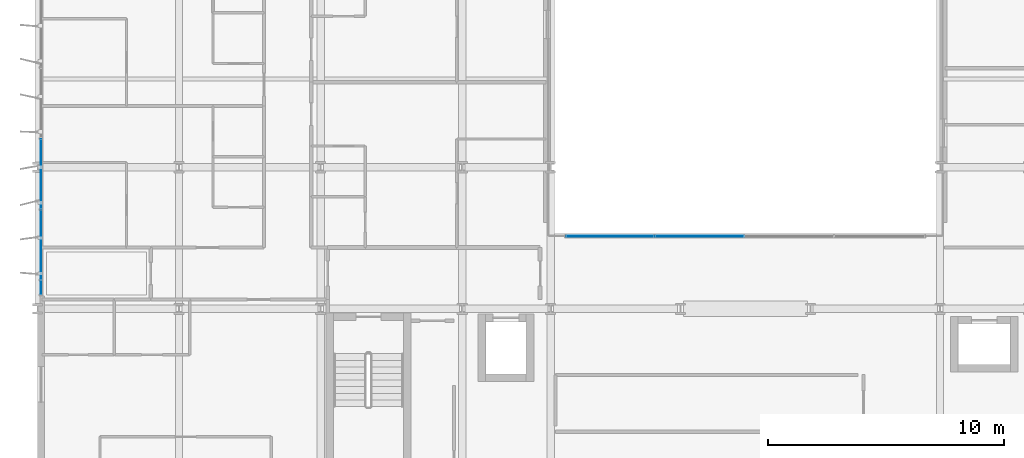
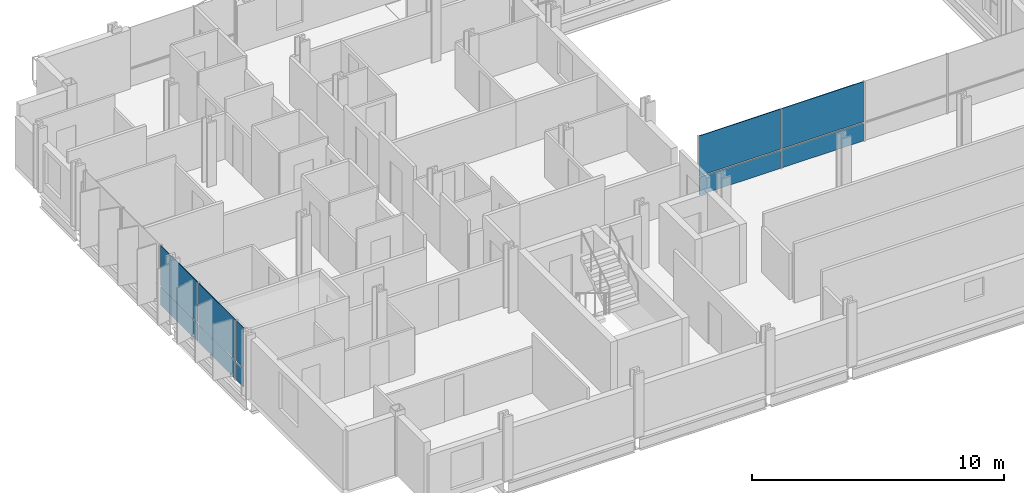
# One storey, part 22 of 39: 10 plates, 2 elements without a shape of their own.
"""IFC4 building model written with IfcOpenShell, lengths in metres."""

from ifc_helpers import new_model, si_unit, direction, frame, origin, origin_2d, place, context, subcontext, project, spatial, rectangle, extrude, material, layer, layer_set, type_object, element, aggregate, save


model = new_model("IFC4")

# Units and contexts
model_context = context("Model", 3, precision=1e-05, world=origin(), true_north=direction((0.0, 1.0)))
body_context = subcontext(model_context, "Body", "Model", "MODEL_VIEW")
ifc_project = project(units=[si_unit("LENGTHUNIT", "METRE"), si_unit("AREAUNIT", "SQUARE_METRE"), si_unit("VOLUMEUNIT", "CUBIC_METRE"), si_unit("PLANEANGLEUNIT", "RADIAN"), si_unit("MASSUNIT", "GRAM", prefix="KILO")], contexts=[model_context])

# Site, building, storey
site_placement = place(None, origin())
site = spatial("IfcSite", under=ifc_project, at=site_placement, CompositionType="ELEMENT")
building_placement = place(site_placement, origin())
building = spatial("IfcBuilding", under=site, at=building_placement, Name="Brevholm Reach", CompositionType="ELEMENT")
storey_placement = place(building_placement, frame((0.0, 0.0, 34.199951171875)))
storey = spatial("IfcBuildingStorey", under=building, at=storey_placement, Name="L08", CompositionType="ELEMENT", Elevation=34.199951171875)

# Curtain wall, plates
ifc_material_1 = material(Name="Dark Anodised Aluminium 6063-T6 and Solar-Control Glass", Category="aluminium")
ifc_layer_1 = layer(ifc_material_1, 0.14990234375)
ifc_layer_set_1 = layer_set([ifc_layer_1], Name="Dark Anodised Aluminium 6063-T6 and Solar-Control Glass")
curtain_wall_type_1 = type_object("IfcCurtainWallType", Name="CW-01", PredefinedType="NOTDEFINED", material=ifc_layer_set_1)
curtain_wall_1_placement = place(storey_placement, origin())
curtain_wall_1 = element("IfcCurtainWall", 1, at=curtain_wall_1_placement, inside=storey, type_object=curtain_wall_type_1, Name="L08 Curtain Wall CW-01", PredefinedType="NOTDEFINED")
ifc_material_2 = material(Name="Dark Solar-Control Double-Glazed IGU Glass", Category="glass")
ifc_layer_2 = layer(ifc_material_2, 0.028076171875)
ifc_layer_set_2 = layer_set([ifc_layer_2], Name="Dark Solar-Control Double-Glazed IGU Glass")
plate_type_1 = type_object("IfcPlateType", Name="CWP-GLZ-28", PredefinedType="CURTAIN_PANEL", material=ifc_layer_set_2)
plate_1_placement = place(storey_placement, frame((0.14990234375, 15.719970703125, 0.0), z_axis=(0.0, 0.0, 1.0), x_axis=(0.0, -1.0, 0.0)))
plate_1 = element("IfcPlate", 2, at=plate_1_placement, type_object=plate_type_1, Name="CP-01 Glazing Panel 3.1", PredefinedType="CURTAIN_PANEL", context=body_context, shape_type="SweptSolid", body=[
    extrude(rectangle(XDim=2.93505859375, YDim=0.028076171875, at=origin_2d()), origin(), (0.0, 0.0, 1.0), 0.867431640625),
])
plate_2_placement = place(storey_placement, frame((0.14990234375, 15.719970703125, 0.9326171875), z_axis=(0.0, 0.0, 1.0), x_axis=(0.0, -1.0, 0.0)))
plate_2 = element("IfcPlate", 3, at=plate_2_placement, type_object=plate_type_1, Name="CP-01 Glazing Panel 3.2", PredefinedType="CURTAIN_PANEL", context=body_context, shape_type="SweptSolid", body=[
    extrude(rectangle(XDim=2.93505859375, YDim=0.028076171875, at=origin_2d()), origin(), (0.0, 0.0, 1.0), 1.9375),
])
plate_3_placement = place(storey_placement, frame((0.14990234375, 12.719970703125, 0.0), z_axis=(0.0, 0.0, 1.0), x_axis=(0.0, -1.0, 0.0)))
plate_3 = element("IfcPlate", 4, at=plate_3_placement, type_object=plate_type_1, Name="CP-01 Glazing Panel 4.1", PredefinedType="CURTAIN_PANEL", context=body_context, shape_type="SweptSolid", body=[
    extrude(rectangle(XDim=2.93505859375, YDim=0.028076171875, at=origin_2d()), origin(), (0.0, 0.0, 1.0), 0.867431640625),
])
plate_4_placement = place(storey_placement, frame((0.14990234375, 12.719970703125, 0.9326171875), z_axis=(0.0, 0.0, 1.0), x_axis=(0.0, -1.0, 0.0)))
plate_4 = element("IfcPlate", 5, at=plate_4_placement, type_object=plate_type_1, Name="CP-01 Glazing Panel 4.2", PredefinedType="CURTAIN_PANEL", context=body_context, shape_type="SweptSolid", body=[
    extrude(rectangle(XDim=2.93505859375, YDim=0.028076171875, at=origin_2d()), origin(), (0.0, 0.0, 1.0), 1.9375),
])
plate_5_placement = place(storey_placement, frame((0.14990234375, 10.9013671875, 0.0), z_axis=(0.0, 0.0, 1.0), x_axis=(0.0, -1.0, 0.0)))
plate_5 = element("IfcPlate", 6, at=plate_5_placement, type_object=plate_type_1, Name="CP-01 Glazing Panel 5.1", PredefinedType="CURTAIN_PANEL", context=body_context, shape_type="SweptSolid", body=[
    extrude(rectangle(XDim=0.572509765625, YDim=0.028076171875, at=origin_2d()), origin(), (0.0, 0.0, 1.0), 0.867431640625),
])
plate_6_placement = place(storey_placement, frame((0.14990234375, 10.9013671875, 0.9326171875), z_axis=(0.0, 0.0, 1.0), x_axis=(0.0, -1.0, 0.0)))
plate_6 = element("IfcPlate", 7, at=plate_6_placement, type_object=plate_type_1, Name="CP-01 Glazing Panel 5.2", PredefinedType="CURTAIN_PANEL", context=body_context, shape_type="SweptSolid", body=[
    extrude(rectangle(XDim=0.572509765625, YDim=0.028076171875, at=origin_2d()), origin(), (0.0, 0.0, 1.0), 1.9375),
])
aggregate(curtain_wall_1, [plate_1, plate_2, plate_3, plate_4, plate_5, plate_6])

ifc_material_3 = material(Name="Dark Anodised Aluminium 6063-T6 and Solar-Control Glass", Category="aluminium")
ifc_layer_3 = layer(ifc_material_3, 0.139892578125)
ifc_layer_set_3 = layer_set([ifc_layer_3], Name="Dark Anodised Aluminium 6063-T6 and Solar-Control Glass")
curtain_wall_type_2 = type_object("IfcCurtainWallType", Name="CW-02", PredefinedType="NOTDEFINED", material=ifc_layer_set_3)
curtain_wall_2_placement = place(storey_placement, origin())
curtain_wall_2 = element("IfcCurtainWall", 8, at=curtain_wall_2_placement, inside=storey, type_object=curtain_wall_type_2, Name="L08 Curtain Wall CW-02", PredefinedType="NOTDEFINED")
ifc_material_4 = material(Name="Low-Iron Laminated Acoustic Glass", Category="glass")
ifc_layer_4 = layer(ifc_material_4, 0.035888671875)
ifc_layer_set_4 = layer_set([ifc_layer_4], Name="Low-Iron Laminated Acoustic Glass")
plate_type_2 = type_object("IfcPlateType", Name="CWP-GLZ-36", PredefinedType="CURTAIN_PANEL", material=ifc_layer_set_4)
plate_7_placement = place(storey_placement, frame((24.264892578125, 13.080078125, 0.0), z_axis=(0.0, 0.0, 1.0), x_axis=(1.0, 0.0, 0.0)))
plate_7 = element("IfcPlate", 9, at=plate_7_placement, type_object=plate_type_2, Name="CP-02 Glazing Panel 1.1", PredefinedType="CURTAIN_PANEL", context=body_context, shape_type="SweptSolid", body=[
    extrude(rectangle(XDim=3.7099609375, YDim=0.035888671875, at=origin_2d()), origin(), (0.0, 0.0, 1.0), 0.8701171875),
])
plate_8_placement = place(storey_placement, frame((24.264892578125, 13.080078125, 0.93017578125), z_axis=(0.0, 0.0, 1.0), x_axis=(1.0, 0.0, 0.0)))
plate_8 = element("IfcPlate", 10, at=plate_8_placement, type_object=plate_type_2, Name="CP-02 Glazing Panel 1.2", PredefinedType="CURTAIN_PANEL", context=body_context, shape_type="SweptSolid", body=[
    extrude(rectangle(XDim=3.7099609375, YDim=0.035888671875, at=origin_2d()), origin(), (0.0, 0.0, 1.0), 1.93994140625),
])
plate_9_placement = place(storey_placement, frame((28.050048828125, 13.080078125, 0.0), z_axis=(0.0, 0.0, 1.0), x_axis=(1.0, 0.0, 0.0)))
plate_9 = element("IfcPlate", 11, at=plate_9_placement, type_object=plate_type_2, Name="CP-02 Glazing Panel 2.1", PredefinedType="CURTAIN_PANEL", context=body_context, shape_type="SweptSolid", body=[
    extrude(rectangle(XDim=3.739990234375, YDim=0.035888671875, at=origin_2d()), origin(), (0.0, 0.0, 1.0), 0.8701171875),
])
plate_10_placement = place(storey_placement, frame((28.050048828125, 13.080078125, 0.93017578125), z_axis=(0.0, 0.0, 1.0), x_axis=(1.0, 0.0, 0.0)))
plate_10 = element("IfcPlate", 12, at=plate_10_placement, type_object=plate_type_2, Name="CP-02 Glazing Panel 2.2", PredefinedType="CURTAIN_PANEL", context=body_context, shape_type="SweptSolid", body=[
    extrude(rectangle(XDim=3.739990234375, YDim=0.035888671875, at=origin_2d()), origin(), (0.0, 0.0, 1.0), 1.93994140625),
])
aggregate(curtain_wall_2, [plate_7, plate_8, plate_9, plate_10])

save(model, "model.ifc")
